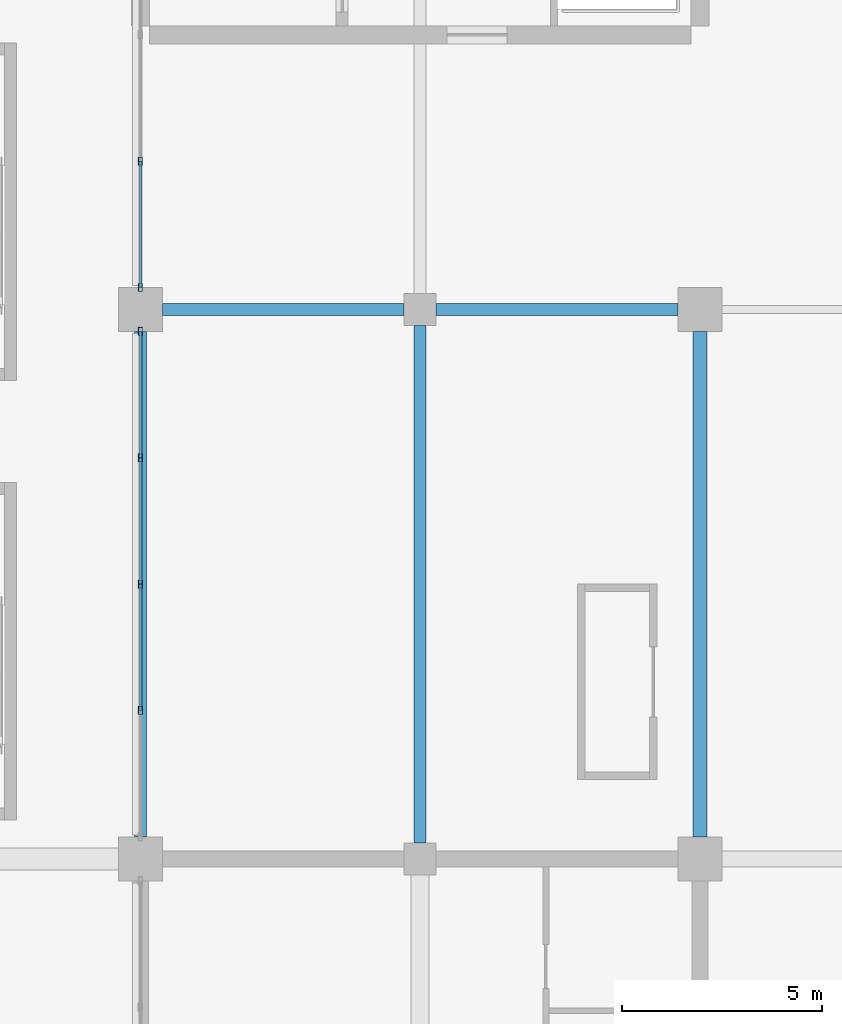
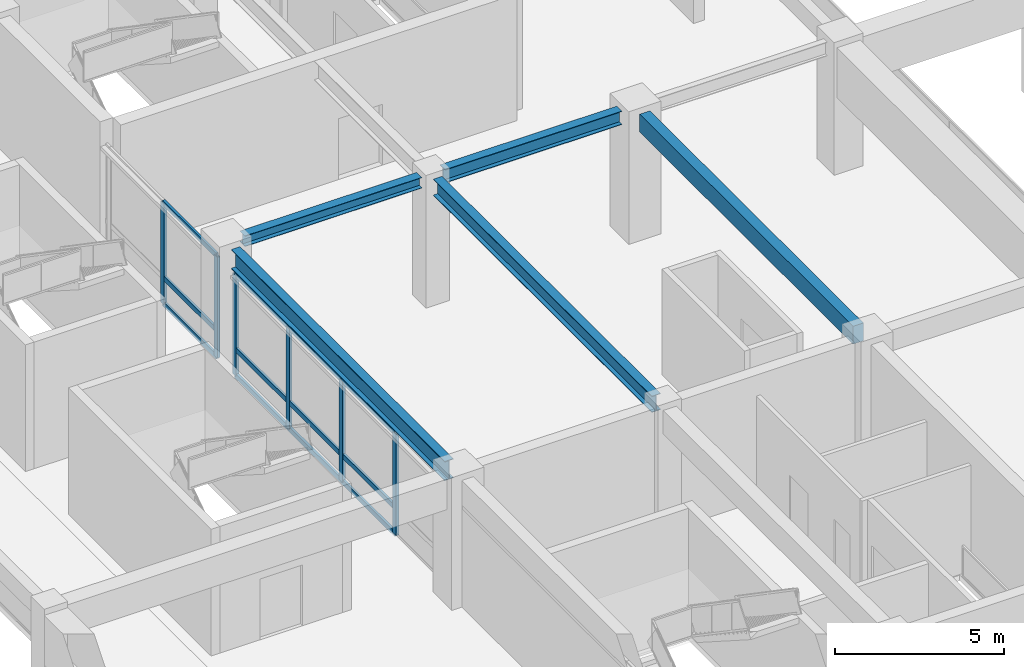
# One storey, part 33 of 91: 18 members, 5 beams, 2 elements without a shape of their own.
"""IFC4 building model written with IfcOpenShell, lengths in metres."""

from ifc_helpers import new_model, si_unit, direction, frame, origin, origin_2d, place, context, subcontext, project, spatial, rectangle, hollow_rectangle, i_section, extrude, material, material_profile, profile_set, type_object, element, aggregate, save


model = new_model("IFC4")

# Units and contexts
model_context = context("Model", 3, precision=1e-05, world=origin(), true_north=direction((0.0, 1.0)))
body_context = subcontext(model_context, "Body", "Model", "MODEL_VIEW")
ifc_project = project(units=[si_unit("LENGTHUNIT", "METRE"), si_unit("AREAUNIT", "SQUARE_METRE"), si_unit("VOLUMEUNIT", "CUBIC_METRE"), si_unit("PLANEANGLEUNIT", "RADIAN"), si_unit("MASSUNIT", "GRAM", prefix="KILO")], contexts=[model_context])

# Site, building, storey
site_placement = place(None, origin())
site = spatial("IfcSite", under=ifc_project, at=site_placement, CompositionType="ELEMENT")
building_placement = place(site_placement, origin())
building = spatial("IfcBuilding", under=site, at=building_placement, Name="Linyun Crest Stadium", CompositionType="ELEMENT")
storey_placement = place(building_placement, frame((0.0, 0.0, 11.39990234375)))
storey = spatial("IfcBuildingStorey", under=building, at=storey_placement, Name="L03", CompositionType="ELEMENT", Elevation=11.39990234375)

# Beams
ifc_material_1 = material(Name="Concrete C40", Category="concrete")
ifc_material_profile_1 = material_profile(ifc_material_1, rectangle(XDim=0.35009765625, YDim=0.64990234375, at=origin_2d()), Name="RCB 650x350")
ifc_profile_set_1 = profile_set([ifc_material_profile_1], Name="Concrete C40")
beam_type_1 = type_object("IfcBeamType", Name="B02", PredefinedType="BEAM", material=ifc_profile_set_1)
beam_1_placement = place(storey_placement, frame((-70.0, 16.425048828125, 4.255126953125), z_axis=(0.0, 1.0, 0.0), x_axis=(-1.0, 0.0, 0.0)))
element("IfcBeam", 1, at=beam_1_placement, inside=storey, type_object=beam_type_1, Name="Frame beam B02 L03 284", PredefinedType="BEAM", context=body_context, shape_type="SweptSolid", body=[
    extrude(rectangle(XDim=0.35009765625, YDim=0.64990234375, at=origin_2d()), origin(), (0.0, 0.0, 1.0), 12.64990234375),
])
ifc_material_2 = material(Name="Steel Q355C", Category="steel")
ifc_material_profile_2 = material_profile(ifc_material_2, i_section(OverallWidth=0.300048828125, OverallDepth=0.389892578125, WebThickness=0.010009765625, FlangeThickness=0.01611328125, at=origin_2d()), Name="HM 390x300")
ifc_profile_set_2 = profile_set([ifc_material_profile_2], Name="Steel Q355C")
beam_type_2 = type_object("IfcBeamType", Name="B06", PredefinedType="BEAM", material=ifc_profile_set_2)
beam_2_placement = place(storey_placement, frame((-83.449951171875, 29.625, 4.385009765625), z_axis=(1.0, 0.0, 0.0), x_axis=(0.0, 1.0, 0.0)))
element("IfcBeam", 2, at=beam_2_placement, inside=storey, type_object=beam_type_2, Name="Frame beam B06 L03 248", PredefinedType="BEAM", context=body_context, shape_type="SweptSolid", body=[
    extrude(i_section(OverallWidth=0.300048828125, OverallDepth=0.389892578125, WebThickness=0.010009765625, FlangeThickness=0.01611328125, at=origin_2d()), origin(), (0.0, 0.0, 1.0), 6.050048828125),
])
ifc_material_3 = material(Name="Steel Q355C", Category="steel")
ifc_material_profile_3 = material_profile(ifc_material_3, i_section(OverallWidth=0.300048828125, OverallDepth=0.488037109375, WebThickness=0.010986328125, FlangeThickness=0.01806640625, at=origin_2d()), Name="HM 488x300")
ifc_profile_set_3 = profile_set([ifc_material_profile_3], Name="Steel Q355C")
beam_type_3 = type_object("IfcBeamType", Name="B08", PredefinedType="BEAM", material=ifc_profile_set_3)
beam_3_placement = place(storey_placement, frame((-76.60009765625, 29.625, 4.336181640625), z_axis=(1.0, 0.0, 0.0), x_axis=(0.0, 1.0, 0.0)))
element("IfcBeam", 3, at=beam_3_placement, inside=storey, type_object=beam_type_3, Name="Frame beam B08 L03 249", PredefinedType="BEAM", context=body_context, shape_type="SweptSolid", body=[
    extrude(i_section(OverallWidth=0.300048828125, OverallDepth=0.488037109375, WebThickness=0.010986328125, FlangeThickness=0.01806640625, at=origin_2d()), origin(), (0.0, 0.0, 1.0), 6.050048828125),
])
ifc_material_4 = material(Name="Steel Q355C", Category="steel")
ifc_material_profile_4 = material_profile(ifc_material_4, i_section(OverallWidth=0.300048828125, OverallDepth=0.587890625, WebThickness=0.011962890625, FlangeThickness=0.02001953125, at=origin_2d()), Name="HM 588x300")
ifc_profile_set_4 = profile_set([ifc_material_profile_4], Name="Steel Q355C")
beam_type_4 = type_object("IfcBeamType", Name="B09", PredefinedType="BEAM", material=ifc_profile_set_4)
beam_4_placement = place(storey_placement, frame((-77.0, 16.27490234375, 4.2861328125), z_axis=(0.0, 1.0, 0.0), x_axis=(-1.0, 0.0, 0.0)))
element("IfcBeam", 4, at=beam_4_placement, inside=storey, type_object=beam_type_4, Name="Frame beam B09 L03 279", PredefinedType="BEAM", context=body_context, shape_type="SweptSolid", body=[
    extrude(i_section(OverallWidth=0.300048828125, OverallDepth=0.587890625, WebThickness=0.011962890625, FlangeThickness=0.02001953125, at=origin_2d()), origin(), (0.0, 0.0, 1.0), 12.9501953125),
])
ifc_material_5 = material(Name="Steel Q355C", Category="steel")
ifc_material_profile_5 = material_profile(ifc_material_5, i_section(OverallWidth=0.300048828125, OverallDepth=0.699951171875, WebThickness=0.012939453125, FlangeThickness=0.02392578125, at=origin_2d()), Name="HN 700x300")
ifc_profile_set_5 = profile_set([ifc_material_profile_5], Name="Steel Q355C")
beam_type_5 = type_object("IfcBeamType", Name="B12", PredefinedType="BEAM", material=ifc_profile_set_5)
beam_5_placement = place(storey_placement, frame((-84.0, 16.425048828125, 4.22998046875), z_axis=(0.0, 1.0, 0.0), x_axis=(-1.0, 0.0, 0.0)))
element("IfcBeam", 5, at=beam_5_placement, inside=storey, type_object=beam_type_5, Name="Frame beam B12 L03 273", PredefinedType="BEAM", context=body_context, shape_type="SweptSolid", body=[
    extrude(i_section(OverallWidth=0.300048828125, OverallDepth=0.699951171875, WebThickness=0.012939453125, FlangeThickness=0.02392578125, at=origin_2d()), origin(), (0.0, 0.0, 1.0), 12.64990234375),
])

# Curtain wall, members
ifc_material_6 = material(Name="Verdigris steel and low-E curtain wall assembly", Category="steel")
curtain_wall_type = type_object("IfcCurtainWallType", Name="MCW02", PredefinedType="NOTDEFINED", material=ifc_material_6)
curtain_wall_1_placement = place(storey_placement, origin())
curtain_wall_1 = element("IfcCurtainWall", 6, at=curtain_wall_1_placement, inside=storey, type_object=curtain_wall_type, Name="CWR-110", PredefinedType="NOTDEFINED")
ifc_material_7 = material(Name="Verdigris painted steel Q355C mullion", Category="steel")
ifc_material_profile_6 = material_profile(ifc_material_7, hollow_rectangle(XDim=0.10009765625, YDim=0.199951171875, WallThickness=0.008056640625, at=origin_2d()), Name="RHS 200x100x8")
ifc_profile_set_6 = profile_set([ifc_material_profile_6], Name="Verdigris painted steel Q355C mullion")
member_type_1 = type_object("IfcMemberType", Name="ML03", PredefinedType="MULLION", material=ifc_profile_set_6)
member_1_placement = place(storey_placement, frame((-84.0, 19.587890625, 0.0), z_axis=(0.0, 0.0, 1.0), x_axis=(-1.0, 0.0, 0.0)))
member_1 = element("IfcMember", 7, at=member_1_placement, type_object=member_type_1, Name="CWR-110 mullion 2", PredefinedType="MULLION", context=body_context, shape_type="SweptSolid", body=[
    extrude(hollow_rectangle(XDim=0.10009765625, YDim=0.199951171875, WallThickness=0.008056640625, at=origin_2d()), origin(), (0.0, 0.0, 1.0), 3.650146484375),
])
member_2_placement = place(storey_placement, frame((-84.0, 22.75, 0.0), z_axis=(0.0, 0.0, 1.0), x_axis=(-1.0, 0.0, 0.0)))
member_2 = element("IfcMember", 8, at=member_2_placement, type_object=member_type_1, Name="CWR-110 mullion 3", PredefinedType="MULLION", context=body_context, shape_type="SweptSolid", body=[
    extrude(hollow_rectangle(XDim=0.10009765625, YDim=0.199951171875, WallThickness=0.008056640625, at=origin_2d()), origin(), (0.0, 0.0, 1.0), 3.650146484375),
])
member_3_placement = place(storey_placement, frame((-84.0, 25.912109375, 0.0), z_axis=(0.0, 0.0, 1.0), x_axis=(-1.0, 0.0, 0.0)))
member_3 = element("IfcMember", 9, at=member_3_placement, type_object=member_type_1, Name="CWR-110 mullion 4", PredefinedType="MULLION", context=body_context, shape_type="SweptSolid", body=[
    extrude(hollow_rectangle(XDim=0.10009765625, YDim=0.199951171875, WallThickness=0.008056640625, at=origin_2d()), origin(), (0.0, 0.0, 1.0), 3.650146484375),
])
member_4_placement = place(storey_placement, frame((-84.0, 29.074951171875, 0.0), z_axis=(0.0, 0.0, 1.0), x_axis=(-1.0, 0.0, 0.0)))
member_4 = element("IfcMember", 10, at=member_4_placement, type_object=member_type_1, Name="CWR-110 mullion 5", PredefinedType="MULLION", context=body_context, shape_type="SweptSolid", body=[
    extrude(hollow_rectangle(XDim=0.10009765625, YDim=0.199951171875, WallThickness=0.008056640625, at=origin_2d()), origin(), (0.0, 0.0, 1.0), 3.650146484375),
])

curtain_wall_2_placement = place(storey_placement, origin())
curtain_wall_2 = element("IfcCurtainWall", 11, at=curtain_wall_2_placement, inside=storey, type_object=curtain_wall_type, Name="CWR-119", PredefinedType="NOTDEFINED")
member_5_placement = place(storey_placement, frame((-84.0, 30.175048828125, 0.0), z_axis=(0.0, 0.0, 1.0), x_axis=(-1.0, 0.0, 0.0)))
member_5 = element("IfcMember", 12, at=member_5_placement, type_object=member_type_1, Name="CWR-119 mullion 1", PredefinedType="MULLION", context=body_context, shape_type="SweptSolid", body=[
    extrude(hollow_rectangle(XDim=0.10009765625, YDim=0.199951171875, WallThickness=0.008056640625, at=origin_2d()), origin(), (0.0, 0.0, 1.0), 3.650146484375),
])
member_6_placement = place(storey_placement, frame((-84.0, 33.337890625, 0.0), z_axis=(0.0, 0.0, 1.0), x_axis=(-1.0, 0.0, 0.0)))
member_6 = element("IfcMember", 13, at=member_6_placement, type_object=member_type_1, Name="CWR-119 mullion 2", PredefinedType="MULLION", context=body_context, shape_type="SweptSolid", body=[
    extrude(hollow_rectangle(XDim=0.10009765625, YDim=0.199951171875, WallThickness=0.008056640625, at=origin_2d()), origin(), (0.0, 0.0, 1.0), 3.650146484375),
])

# Member
ifc_material_8 = material(Name="Verdigris painted steel Q355B transom", Category="steel")
ifc_material_profile_7 = material_profile(ifc_material_8, hollow_rectangle(XDim=0.080078125, YDim=0.179931640625, WallThickness=0.006103515625, at=origin_2d()), Name="RHS 180x80x6")
ifc_profile_set_7 = profile_set([ifc_material_profile_7], Name="Verdigris painted steel Q355B transom")
member_type_2 = type_object("IfcMemberType", Name="TR02", PredefinedType="USERDEFINED", material=ifc_profile_set_7)
member_7_placement = place(storey_placement, frame((-84.0, 19.587890625, 0.0), z_axis=(0.0, 1.0, 0.0), x_axis=(-1.0, 0.0, 0.0)))
member_7 = element("IfcMember", 14, at=member_7_placement, type_object=member_type_2, Name="CWR-110 transom 2.1", ObjectType="TRANSOM", PredefinedType="USERDEFINED", context=body_context, shape_type="SweptSolid", body=[
    extrude(hollow_rectangle(XDim=0.080078125, YDim=0.179931640625, WallThickness=0.006103515625, at=origin_2d()), origin(), (0.0, 0.0, 1.0), 3.162109375),
])

member_8_placement = place(storey_placement, frame((-84.0, 19.587890625, 0.9501953125), z_axis=(0.0, 1.0, 0.0), x_axis=(-1.0, 0.0, 0.0)))
member_8 = element("IfcMember", 15, at=member_8_placement, type_object=member_type_2, Name="CWR-110 transom 2.2", ObjectType="TRANSOM", PredefinedType="USERDEFINED", context=body_context, shape_type="SweptSolid", body=[
    extrude(hollow_rectangle(XDim=0.080078125, YDim=0.179931640625, WallThickness=0.006103515625, at=origin_2d()), origin(), (0.0, 0.0, 1.0), 3.162109375),
])

member_9_placement = place(storey_placement, frame((-84.0, 19.587890625, 3.650146484375), z_axis=(0.0, 1.0, 0.0), x_axis=(-1.0, 0.0, 0.0)))
member_9 = element("IfcMember", 16, at=member_9_placement, type_object=member_type_2, Name="CWR-110 transom 2.3", ObjectType="TRANSOM", PredefinedType="USERDEFINED", context=body_context, shape_type="SweptSolid", body=[
    extrude(hollow_rectangle(XDim=0.080078125, YDim=0.179931640625, WallThickness=0.006103515625, at=origin_2d()), origin(), (0.0, 0.0, 1.0), 3.162109375),
])

member_10_placement = place(storey_placement, frame((-84.0, 22.75, 0.0), z_axis=(0.0, 1.0, 0.0), x_axis=(-1.0, 0.0, 0.0)))
member_10 = element("IfcMember", 17, at=member_10_placement, type_object=member_type_2, Name="CWR-110 transom 3.1", ObjectType="TRANSOM", PredefinedType="USERDEFINED", context=body_context, shape_type="SweptSolid", body=[
    extrude(hollow_rectangle(XDim=0.080078125, YDim=0.179931640625, WallThickness=0.006103515625, at=origin_2d()), origin(), (0.0, 0.0, 1.0), 3.162109375),
])

member_11_placement = place(storey_placement, frame((-84.0, 22.75, 0.9501953125), z_axis=(0.0, 1.0, 0.0), x_axis=(-1.0, 0.0, 0.0)))
member_11 = element("IfcMember", 18, at=member_11_placement, type_object=member_type_2, Name="CWR-110 transom 3.2", ObjectType="TRANSOM", PredefinedType="USERDEFINED", context=body_context, shape_type="SweptSolid", body=[
    extrude(hollow_rectangle(XDim=0.080078125, YDim=0.179931640625, WallThickness=0.006103515625, at=origin_2d()), origin(), (0.0, 0.0, 1.0), 3.162109375),
])

member_12_placement = place(storey_placement, frame((-84.0, 22.75, 3.650146484375), z_axis=(0.0, 1.0, 0.0), x_axis=(-1.0, 0.0, 0.0)))
member_12 = element("IfcMember", 19, at=member_12_placement, type_object=member_type_2, Name="CWR-110 transom 3.3", ObjectType="TRANSOM", PredefinedType="USERDEFINED", context=body_context, shape_type="SweptSolid", body=[
    extrude(hollow_rectangle(XDim=0.080078125, YDim=0.179931640625, WallThickness=0.006103515625, at=origin_2d()), origin(), (0.0, 0.0, 1.0), 3.162109375),
])

member_13_placement = place(storey_placement, frame((-84.0, 25.912109375, 0.0), z_axis=(0.0, 1.0, 0.0), x_axis=(-1.0, 0.0, 0.0)))
member_13 = element("IfcMember", 20, at=member_13_placement, type_object=member_type_2, Name="CWR-110 transom 4.1", ObjectType="TRANSOM", PredefinedType="USERDEFINED", context=body_context, shape_type="SweptSolid", body=[
    extrude(hollow_rectangle(XDim=0.080078125, YDim=0.179931640625, WallThickness=0.006103515625, at=origin_2d()), origin(), (0.0, 0.0, 1.0), 3.162841796875),
])

member_14_placement = place(storey_placement, frame((-84.0, 25.912109375, 0.9501953125), z_axis=(0.0, 1.0, 0.0), x_axis=(-1.0, 0.0, 0.0)))
member_14 = element("IfcMember", 21, at=member_14_placement, type_object=member_type_2, Name="CWR-110 transom 4.2", ObjectType="TRANSOM", PredefinedType="USERDEFINED", context=body_context, shape_type="SweptSolid", body=[
    extrude(hollow_rectangle(XDim=0.080078125, YDim=0.179931640625, WallThickness=0.006103515625, at=origin_2d()), origin(), (0.0, 0.0, 1.0), 3.162841796875),
])

member_15_placement = place(storey_placement, frame((-84.0, 25.912109375, 3.650146484375), z_axis=(0.0, 1.0, 0.0), x_axis=(-1.0, 0.0, 0.0)))
member_15 = element("IfcMember", 22, at=member_15_placement, type_object=member_type_2, Name="CWR-110 transom 4.3", ObjectType="TRANSOM", PredefinedType="USERDEFINED", context=body_context, shape_type="SweptSolid", body=[
    extrude(hollow_rectangle(XDim=0.080078125, YDim=0.179931640625, WallThickness=0.006103515625, at=origin_2d()), origin(), (0.0, 0.0, 1.0), 3.162841796875),
])

aggregate(curtain_wall_1, [member_1, member_2, member_3, member_4, member_7, member_8, member_9, member_10, member_11, member_12, member_13, member_14, member_15])

member_16_placement = place(storey_placement, frame((-84.0, 30.175048828125, 0.0), z_axis=(0.0, 1.0, 0.0), x_axis=(-1.0, 0.0, 0.0)))
member_16 = element("IfcMember", 23, at=member_16_placement, type_object=member_type_2, Name="CWR-119 transom 1.1", ObjectType="TRANSOM", PredefinedType="USERDEFINED", context=body_context, shape_type="SweptSolid", body=[
    extrude(hollow_rectangle(XDim=0.080078125, YDim=0.179931640625, WallThickness=0.006103515625, at=origin_2d()), origin(), (0.0, 0.0, 1.0), 3.162841796875),
])

member_17_placement = place(storey_placement, frame((-84.0, 30.175048828125, 0.9501953125), z_axis=(0.0, 1.0, 0.0), x_axis=(-1.0, 0.0, 0.0)))
member_17 = element("IfcMember", 24, at=member_17_placement, type_object=member_type_2, Name="CWR-119 transom 1.2", ObjectType="TRANSOM", PredefinedType="USERDEFINED", context=body_context, shape_type="SweptSolid", body=[
    extrude(hollow_rectangle(XDim=0.080078125, YDim=0.179931640625, WallThickness=0.006103515625, at=origin_2d()), origin(), (0.0, 0.0, 1.0), 3.162841796875),
])

member_18_placement = place(storey_placement, frame((-84.0, 30.175048828125, 3.650146484375), z_axis=(0.0, 1.0, 0.0), x_axis=(-1.0, 0.0, 0.0)))
member_18 = element("IfcMember", 25, at=member_18_placement, type_object=member_type_2, Name="CWR-119 transom 1.3", ObjectType="TRANSOM", PredefinedType="USERDEFINED", context=body_context, shape_type="SweptSolid", body=[
    extrude(hollow_rectangle(XDim=0.080078125, YDim=0.179931640625, WallThickness=0.006103515625, at=origin_2d()), origin(), (0.0, 0.0, 1.0), 3.162841796875),
])

aggregate(curtain_wall_2, [member_5, member_6, member_16, member_17, member_18])

save(model, "model.ifc")
